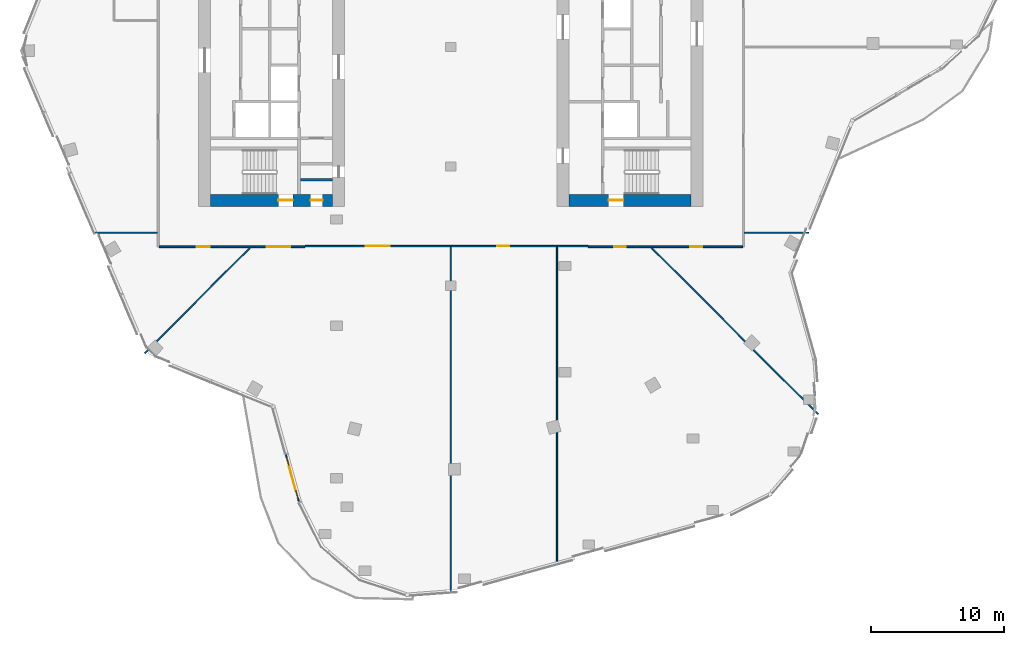
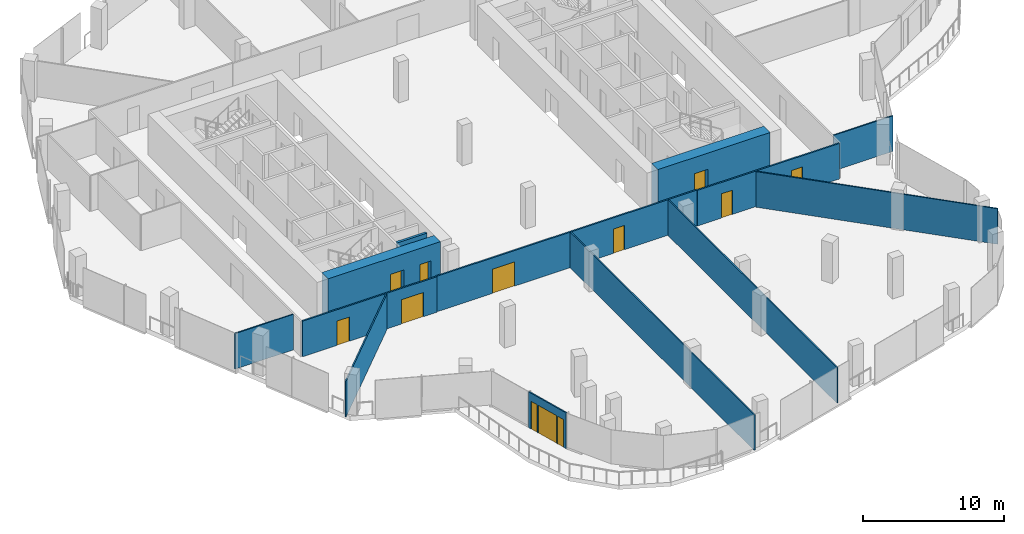
# One storey, part 18 of 26: 13 walls, 10 doors, 2 windows, 12 openings.
"""IFC4 building model written with IfcOpenShell, lengths in metres."""

import ifcopenshell
import ifcopenshell.guid

model = None  # the IFC model being written
_history = None  # IfcOwnerHistory: only IFC2X3 demands one
_inside = {}  # id of a spatial element -> (the spatial element, [elements in it])
_under = {}  # id of a project, library or spatial element -> (it, [spatial elements below it])
_declared = {}  # id of a project -> (the project, [libraries it declares])
_typed = {}  # id of a type object -> (the type object, [elements of that type])
_made_of = {}  # id of a material, layer set ... -> (it, [elements and type objects made of it])


def new_model(schema):
    """Start an empty IFC model of exactly this schema.

    Asked for "IFC4X3", IfcOpenShell would pick the latest addendum, in which some entities
    have other attributes; the version numbers below select the first issue.
    IFC2X3 requires an IfcOwnerHistory on every rooted entity: one is made here for all.
    """
    global model, _history
    if schema == "IFC4X3":
        model = ifcopenshell.file(schema_version=(4, 3, 0, 0))
    else:
        model = ifcopenshell.file(schema=schema)
    _inside.clear()
    _under.clear()
    _declared.clear()
    _typed.clear()
    _made_of.clear()
    _history = None
    if model.schema == "IFC2X3":
        org = make("IfcOrganization", Name="unknown")
        user = make(
            "IfcPersonAndOrganization",
            ThePerson=make("IfcPerson", FamilyName="unknown"),
            TheOrganization=org,
        )
        app = make(
            "IfcApplication",
            ApplicationDeveloper=org,
            Version="unknown",
            ApplicationFullName="unknown",
            ApplicationIdentifier="unknown",
        )
        _history = make(
            "IfcOwnerHistory",
            OwningUser=user,
            OwningApplication=app,
            ChangeAction="ADDED",
            CreationDate=0,
        )
    return model


def make(cls, **values):
    """One entity of the class cls with the attributes given. An attribute that is None is left unset."""
    return model.create_entity(
        cls, **{name: value for name, value in values.items() if value is not None}
    )


def rooted(cls, **values):
    """An entity with a GlobalId (a new one), such as an element, a storey or a relation."""
    return make(cls, GlobalId=ifcopenshell.guid.new(), OwnerHistory=_history, **values)


def si_unit(unit_type, name, prefix=None):
    """IfcSIUnit, for example si_unit("LENGTHUNIT", "METRE", prefix="MILLI")."""
    return make("IfcSIUnit", UnitType=unit_type, Prefix=prefix, Name=name)


def assignment(units):
    """IfcUnitAssignment: the units of a project."""
    return None if units is None else make("IfcUnitAssignment", Units=units)


def point(xyz):
    """IfcCartesianPoint."""
    return None if xyz is None else make("IfcCartesianPoint", Coordinates=xyz)


def direction(xyz):
    """IfcDirection."""
    return None if xyz is None else make("IfcDirection", DirectionRatios=xyz)


def frame(location, z_axis=None, x_axis=None):
    """IfcAxis2Placement3D, a coordinate frame: its origin and axes. An axis left out is left unset."""
    return make(
        "IfcAxis2Placement3D",
        Location=point(location),
        Axis=direction(z_axis),
        RefDirection=direction(x_axis),
    )


def frame_2d(location, x_axis=None):
    """IfcAxis2Placement2D, a coordinate frame in the plane: its origin and x axis."""
    return make(
        "IfcAxis2Placement2D", Location=point(location), RefDirection=direction(x_axis)
    )


def origin():
    """The frame at (0, 0, 0) with its axes left unset."""
    return frame((0.0, 0.0, 0.0))


def place(relative_to, where):
    """IfcLocalPlacement: puts the frame where relative to a parent placement (None: the world)."""
    return make(
        "IfcLocalPlacement", PlacementRelTo=relative_to, RelativePlacement=where
    )


def context(
    kind, dimensions, precision=None, world=None, true_north=None, identifier=None
):
    """IfcGeometricRepresentationContext, for example the 3D "Model" context."""
    return make(
        "IfcGeometricRepresentationContext",
        ContextIdentifier=identifier,
        ContextType=kind,
        CoordinateSpaceDimension=dimensions,
        Precision=precision,
        WorldCoordinateSystem=world,
        TrueNorth=true_north,
    )


def subcontext(parent, identifier, kind, view, scale=None):
    """IfcGeometricRepresentationSubContext, for example "Body" below "Model"."""
    return make(
        "IfcGeometricRepresentationSubContext",
        ContextIdentifier=identifier,
        ContextType=kind,
        ParentContext=parent,
        TargetScale=scale,
        TargetView=view,
    )


def project(units=None, contexts=None):
    """IfcProject with its units and contexts."""
    return rooted(
        "IfcProject",
        Name="project",
        RepresentationContexts=contexts,
        UnitsInContext=assignment(units),
    )


def spatial(cls, under=None, at=None, **own):
    """A site, building, storey or space (cls), placed at a placement, below another one or the project."""
    s = rooted(cls, ObjectPlacement=at, **own)
    if under is not None:
        _under.setdefault(under.id(), (under, []))[1].append(s)
    return s


def profile(cls, at=None, kind="AREA", **sizes):
    """A parametric profile (cls). Its sizes go by their IFC names, for example OverallWidth=200.0."""
    return make(cls, ProfileType=kind, Position=at, **sizes)


def rectangle(**sizes):
    """IfcRectangleProfileDef."""
    return profile("IfcRectangleProfileDef", **sizes)


def extrude(swept, where, along, depth):
    """IfcExtrudedAreaSolid: the profile swept, set in the frame where, extruded along a direction by depth."""
    return make(
        "IfcExtrudedAreaSolid",
        SweptArea=swept,
        Position=where,
        ExtrudedDirection=direction(along),
        Depth=depth,
    )


def shape(context_of_items, identifier, shape_type, items):
    """IfcShapeRepresentation: the items that make up one representation, for example the "Body"."""
    return make(
        "IfcShapeRepresentation",
        ContextOfItems=context_of_items,
        RepresentationIdentifier=identifier,
        RepresentationType=shape_type,
        Items=items,
    )


def material(Name=None, Category=None):
    """IfcMaterial."""
    return make("IfcMaterial", Name=Name, Category=Category)


def layer(
    of_material, thickness, ventilated=None, Name=None, Category=None, Priority=None
):
    """IfcMaterialLayer: one layer of a wall or slab, of a material (None: an air gap)."""
    return make(
        "IfcMaterialLayer",
        Material=of_material,
        LayerThickness=thickness,
        IsVentilated=ventilated,
        Name=Name,
        Category=Category,
        Priority=Priority,
    )


def layer_set(layers, Name=None):
    """IfcMaterialLayerSet."""
    return make("IfcMaterialLayerSet", MaterialLayers=layers, LayerSetName=Name)


def made_of(thing, what):
    """Note that an element or type object is made of a material, layer set ...; save() writes the relation."""
    if what is not None:
        _made_of.setdefault(what.id(), (what, []))[1].append(thing)
    return thing


def type_object(cls, material=None, **own):
    """A type object (cls), such as IfcWallType, which elements share."""
    return made_of(rooted(cls, **own), material)


def element(
    cls,
    number,
    at=None,
    inside=None,
    cuts=None,
    type_object=None,
    material=None,
    context=None,
    identifier="Body",
    shape_type=None,
    held_by="IfcProductDefinitionShape",
    body=None,
    shapes=None,
    **own,
):
    """One element of the class cls, such as IfcWall. Its Tag is "e" and its number.

    at: its placement. inside: the storey or other place that contains it. cuts: it is an
    opening in that element (IfcRelVoidsElement). A single representation is given by context,
    identifier, shape_type and body (its items); several are given by shapes. held_by: the class
    of the entity that holds the representations. save() writes the other relations.
    """
    e = rooted(cls, Tag="e%d" % number, ObjectPlacement=at, **own)
    if body is not None:
        shapes = [shape(context, identifier, shape_type, body)]
    if shapes is not None:
        e.Representation = make(held_by, Representations=shapes)
    if inside is not None:
        _inside.setdefault(inside.id(), (inside, []))[1].append(e)
    if cuts is not None:
        rooted(
            "IfcRelVoidsElement", RelatingBuildingElement=cuts, RelatedOpeningElement=e
        )
    if type_object is not None:
        _typed.setdefault(type_object.id(), (type_object, []))[1].append(e)
    return made_of(e, material)


def fill(opening, filler):
    """IfcRelFillsElement: the door or window that sits in an opening."""
    return rooted(
        "IfcRelFillsElement",
        RelatingOpeningElement=opening,
        RelatedBuildingElement=filler,
    )


def aggregate(whole, parts):
    """IfcRelAggregates: a whole, such as a stair, and the parts it consists of."""
    return rooted("IfcRelAggregates", RelatingObject=whole, RelatedObjects=parts)


def save(model, path):
    """Write the relations noted so far, then the file.

    IfcRelAggregates (storeys below a building ...), IfcRelContainedInSpatialStructure (elements
    in a storey), IfcRelDefinesByType, IfcRelAssociatesMaterial and IfcRelDeclares: one each for
    every whole, place, type object, material and project.
    """
    for whole, parts in _under.values():
        aggregate(whole, parts)
    for where, things in _inside.values():
        rooted(
            "IfcRelContainedInSpatialStructure",
            RelatedElements=things,
            RelatingStructure=where,
        )
    for kind, things in _typed.values():
        rooted("IfcRelDefinesByType", RelatedObjects=things, RelatingType=kind)
    for what, things in _made_of.values():
        rooted("IfcRelAssociatesMaterial", RelatedObjects=things, RelatingMaterial=what)
    for by, libraries in _declared.values():
        rooted("IfcRelDeclares", RelatingContext=by, RelatedDefinitions=libraries)
    model.write(path)


model = new_model("IFC4")

# Units and contexts
model_context = context("Model", 3, precision=1e-05, world=origin(), true_north=direction((0.0, 1.0)))
body_context = subcontext(model_context, "Body", "Model", "MODEL_VIEW")
ifc_project = project(units=[si_unit("LENGTHUNIT", "METRE"), si_unit("AREAUNIT", "SQUARE_METRE"), si_unit("VOLUMEUNIT", "CUBIC_METRE"), si_unit("PLANEANGLEUNIT", "RADIAN"), si_unit("MASSUNIT", "GRAM", prefix="KILO")], contexts=[model_context])

# Site, building, storey
site_placement = place(None, origin())
site = spatial("IfcSite", under=ifc_project, at=site_placement, CompositionType="ELEMENT")
building_placement = place(site_placement, origin())
building = spatial("IfcBuilding", under=site, at=building_placement, Name="Orlundy Tower", CompositionType="ELEMENT")
storey_placement = place(building_placement, frame((0.0, 0.0, 275.39990234375)))
storey = spatial("IfcBuildingStorey", under=building, at=storey_placement, Name="L73", CompositionType="ELEMENT", Elevation=275.39990234375)

# Wall, openings, doors
ifc_material_1 = material(Name="Concrete C50/60", Category="concrete")
ifc_layer_1 = layer(ifc_material_1, 0.89990234375)
ifc_layer_set_1 = layer_set([ifc_layer_1], Name="CORE WALL 900 C50/60")
wall_type_1 = type_object("IfcWallType", Name="CORE WALL 900 C50/60", PredefinedType="SHEAR", material=ifc_layer_set_1)
wall_1_placement = place(storey_placement, frame((-18.10009765625, -11.550048828125, 0.0), z_axis=(0.0, 0.0, 1.0), x_axis=(1.0, 0.0, 0.0)))
wall_1 = element("IfcWall", 1, at=wall_1_placement, inside=storey, type_object=wall_type_1, Name="Core wall W-S L73", PredefinedType="SHEAR", context=body_context, shape_type="SweptSolid", body=[
    extrude(rectangle(XDim=9.2001953125, YDim=0.89990234375, at=frame_2d((4.60009765625, 0.0))), origin(), (0.0, 0.0, 1.0), 3.5),
])
opening_1_placement = place(wall_1_placement, frame((5.10009765625, 0.0, 0.0)))
opening_1 = element("IfcOpeningElement", 2, at=opening_1_placement, cuts=wall_1, Name="Opening 55013", PredefinedType="OPENING", context=body_context, shape_type="SweptSolid", body=[
    extrude(rectangle(XDim=1.10009765625, YDim=2.10009765625, at=frame_2d((0.550048828125, 1.050048828125))), frame((0.0, 0.4599609375, 0.0), z_axis=(0.0, -1.0, 0.0), x_axis=(1.0, 0.0, 0.0)), (0.0, 0.0, 1.0), 0.919921875),
])
opening_2_placement = place(wall_1_placement, frame((7.530029296875, 0.0, 0.0)))
opening_2 = element("IfcOpeningElement", 3, at=opening_2_placement, cuts=wall_1, Name="Opening 55015", PredefinedType="OPENING", context=body_context, shape_type="SweptSolid", body=[
    extrude(rectangle(XDim=0.89990234375, YDim=2.10009765625, at=frame_2d((0.449951171875, 1.050048828125))), frame((0.0, 0.4599609375, 0.0), z_axis=(0.0, -1.0, 0.0), x_axis=(1.0, 0.0, 0.0)), (0.0, 0.0, 1.0), 0.919921875),
])
ifc_material_2 = material(Name="Timber door set", Category="wood")
door_type_1 = type_object("IfcDoorType", Name="Room Door 900x2100", OperationType="SINGLE_SWING_LEFT", PredefinedType="DOOR", material=ifc_material_2)
door_1_placement = place(opening_2_placement, origin())
door_1 = element("IfcDoor", 4, at=door_1_placement, inside=storey, type_object=door_type_1, Name="Store door 55015", OperationType="SINGLE_SWING_RIGHT", OverallHeight=2.10009765625, OverallWidth=0.89990234375, PredefinedType="DOOR", context=body_context, shape_type="SweptSolid", body=[
    extrude(rectangle(XDim=0.89990234375, YDim=2.10009765625, at=frame_2d((0.449951171875, 1.050048828125))), frame((0.0, 0.02490234375, 0.0), z_axis=(0.0, -1.0, 0.0), x_axis=(1.0, 0.0, 0.0)), (0.0, 0.0, 1.0), 0.050048828125),
])
fill(opening_2, door_1)
ifc_material_3 = material(Name="Steel door set", Category="steel")
door_type_2 = type_object("IfcDoorType", Name="Stair Door 1100x2100", OperationType="SINGLE_SWING_LEFT", PredefinedType="DOOR", material=ifc_material_3)
door_2_placement = place(opening_1_placement, origin())
door_2 = element("IfcDoor", 5, at=door_2_placement, inside=storey, type_object=door_type_2, Name="Stair door 55013", OperationType="SINGLE_SWING_RIGHT", OverallHeight=2.10009765625, OverallWidth=1.10009765625, PredefinedType="DOOR", context=body_context, shape_type="SweptSolid", body=[
    extrude(rectangle(XDim=1.10009765625, YDim=2.10009765625, at=frame_2d((0.550048828125, 1.050048828125))), frame((0.0, 0.02490234375, 0.0), z_axis=(0.0, -1.0, 0.0), x_axis=(1.0, 0.0, 0.0)), (0.0, 0.0, 1.0), 0.050048828125),
])
fill(opening_1, door_2)

# Wall, opening, door
wall_2_placement = place(storey_placement, frame((8.89990234375, -11.550048828125, 0.0), z_axis=(0.0, 0.0, 1.0), x_axis=(1.0, 0.0, 0.0)))
wall_2 = element("IfcWall", 6, at=wall_2_placement, inside=storey, type_object=wall_type_1, Name="Core wall E-S L73", PredefinedType="SHEAR", context=body_context, shape_type="SweptSolid", body=[
    extrude(rectangle(XDim=9.2001953125, YDim=0.89990234375, at=frame_2d((4.60009765625, 0.0))), origin(), (0.0, 0.0, 1.0), 3.5),
])
opening_3_placement = place(wall_2_placement, frame((3.0, 0.0, 0.0)))
opening_3 = element("IfcOpeningElement", 7, at=opening_3_placement, cuts=wall_2, Name="Opening 55061", PredefinedType="OPENING", context=body_context, shape_type="SweptSolid", body=[
    extrude(rectangle(XDim=1.10009765625, YDim=2.10009765625, at=frame_2d((0.550048828125, 1.050048828125))), frame((0.0, 0.4599609375, 0.0), z_axis=(0.0, -1.0, 0.0), x_axis=(1.0, 0.0, 0.0)), (0.0, 0.0, 1.0), 0.919921875),
])
door_3_placement = place(opening_3_placement, origin())
door_3 = element("IfcDoor", 8, at=door_3_placement, inside=storey, type_object=door_type_2, Name="Stair door 55061", OperationType="SINGLE_SWING_LEFT", OverallHeight=2.10009765625, OverallWidth=1.10009765625, PredefinedType="DOOR", context=body_context, shape_type="SweptSolid", body=[
    extrude(rectangle(XDim=1.10009765625, YDim=2.10009765625, at=frame_2d((0.550048828125, 1.050048828125))), frame((0.0, 0.02490234375, 0.0), z_axis=(0.0, -1.0, 0.0), x_axis=(1.0, 0.0, 0.0)), (0.0, 0.0, 1.0), 0.050048828125),
])
fill(opening_3, door_3)

# Walls
ifc_material_4 = material(Name="Gypsum board partition")
ifc_layer_2 = layer(ifc_material_4, 0.10009765625)
ifc_layer_set_2 = layer_set([ifc_layer_2], Name="Floor partition 100")
wall_type_2 = type_object("IfcWallType", Name="Floor partition 100", PredefinedType="PARTITIONING", material=ifc_layer_set_2)
wall_3_placement = place(storey_placement, frame((15.14990234375, -15.14892578125, 0.0), z_axis=(0.0, 0.0, 1.0), x_axis=(0.707106781187, -0.707106781187, 0.0)))
element("IfcWall", 9, at=wall_3_placement, inside=storey, type_object=wall_type_2, Name="wall-int-L73-002", PredefinedType="PARTITIONING", context=body_context, shape_type="SweptSolid", body=[
    extrude(rectangle(XDim=17.730224609375, YDim=0.10009765625, at=frame_2d((8.865234375, 0.0))), origin(), (0.0, 0.0, 1.0), 3.080078125),
])
wall_4_placement = place(storey_placement, frame((-26.919921875, -14.0, 0.0), z_axis=(0.0, 0.0, 1.0), x_axis=(1.0, 0.0, 0.0)))
element("IfcWall", 10, at=wall_4_placement, inside=storey, type_object=wall_type_2, Name="wall-int-L73-006", PredefinedType="PARTITIONING", context=body_context, shape_type="SweptSolid", body=[
    extrude(rectangle(XDim=4.806884765625, YDim=0.10009765625, at=frame_2d((2.4033203125, 0.0))), origin(), (0.0, 0.0, 1.0), 3.080078125),
])
wall_5_placement = place(storey_placement, frame((22.113037109375, -14.0, 0.0), z_axis=(0.0, 0.0, 1.0), x_axis=(1.0, 0.0, 0.0)))
element("IfcWall", 11, at=wall_5_placement, inside=storey, type_object=wall_type_2, Name="wall-int-L73-007", PredefinedType="PARTITIONING", context=body_context, shape_type="SweptSolid", body=[
    extrude(rectangle(XDim=4.85693359375, YDim=0.10009765625, at=frame_2d((2.428466796875, 0.0))), origin(), (0.0, 0.0, 1.0), 3.080078125),
])
wall_6_placement = place(storey_placement, frame((-23.070068359375, -23.070068359375, 0.0), z_axis=(0.0, 0.0, 1.0), x_axis=(0.707106781187, 0.707106781187, 0.0)))
element("IfcWall", 12, at=wall_6_placement, inside=storey, type_object=wall_type_2, Name="wall-int-L73-017", PredefinedType="PARTITIONING", context=body_context, shape_type="SweptSolid", body=[
    extrude(rectangle(XDim=11.2021484375, YDim=0.10009765625, at=frame_2d((5.60107421875, 0.0))), origin(), (0.0, 0.0, 1.0), 3.080078125),
])
wall_7_placement = place(storey_placement, frame((8.0, -39.031005859375, 0.0), z_axis=(0.0, 0.0, 1.0), x_axis=(0.0, 1.0, 0.0)))
element("IfcWall", 13, at=wall_7_placement, inside=storey, type_object=wall_type_2, Name="wall-int-L73-019", PredefinedType="PARTITIONING", context=body_context, shape_type="SweptSolid", body=[
    extrude(rectangle(XDim=23.968017578125, YDim=0.10009765625, at=frame_2d((11.98388671875, 0.0))), origin(), (0.0, 0.0, 1.0), 3.080078125),
])
wall_8_placement = place(storey_placement, frame((0.0, -41.152099609375, 0.0), z_axis=(0.0, 0.0, 1.0), x_axis=(0.0, 1.0, 0.0)))
element("IfcWall", 14, at=wall_8_placement, inside=storey, type_object=wall_type_2, Name="wall-int-L73-021", PredefinedType="PARTITIONING", context=body_context, shape_type="SweptSolid", body=[
    extrude(rectangle(XDim=26.089111328125, YDim=0.10009765625, at=frame_2d((13.04443359375, 0.0))), origin(), (0.0, 0.0, 1.0), 3.080078125),
])

# Wall, openings, doors
ifc_material_5 = material(Name="Gypsum board partition, double layer")
ifc_layer_3 = layer(ifc_material_5, 0.125)
ifc_layer_set_3 = layer_set([ifc_layer_3], Name="Floor partition 125")
wall_type_3 = type_object("IfcWallType", Name="Floor partition 125", PredefinedType="PARTITIONING", material=ifc_layer_set_3)
wall_9_placement = place(storey_placement, frame((-10.990966796875, -15.051025390625, 0.0), z_axis=(0.0, 0.0, 1.0), x_axis=(-1.0, 0.0, 0.0)))
wall_9 = element("IfcWall", 15, at=wall_9_placement, inside=storey, type_object=wall_type_3, Name="wall-int-L73-003", PredefinedType="PARTITIONING", context=body_context, shape_type="SweptSolid", body=[
    extrude(rectangle(XDim=10.9970703125, YDim=0.125, at=frame_2d((5.49853515625, 0.0))), origin(), (0.0, 0.0, 1.0), 3.080078125),
])
opening_4_placement = place(wall_9_placement, frame((7.159912109375, 0.0, 0.0)))
opening_4 = element("IfcOpeningElement", 16, at=opening_4_placement, cuts=wall_9, Name="Opening 55101", PredefinedType="OPENING", context=body_context, shape_type="SweptSolid", body=[
    extrude(rectangle(XDim=1.0, YDim=2.10009765625, at=frame_2d((0.5, 1.050048828125))), frame((0.0, 0.072509765625, 0.0), z_axis=(0.0, -1.0, 0.0), x_axis=(1.0, 0.0, 0.0)), (0.0, 0.0, 1.0), 0.14501953125),
])
opening_5_placement = place(wall_9_placement, frame((1.10009765625, 0.0, 0.0)))
opening_5 = element("IfcOpeningElement", 17, at=opening_5_placement, cuts=wall_9, Name="Opening 55102", PredefinedType="OPENING", context=body_context, shape_type="SweptSolid", body=[
    extrude(rectangle(XDim=1.800048828125, YDim=2.10009765625, at=frame_2d((0.89990234375, 1.050048828125))), frame((0.0, 0.072509765625, 0.0), z_axis=(0.0, -1.0, 0.0), x_axis=(1.0, 0.0, 0.0)), (0.0, 0.0, 1.0), 0.14501953125),
])
ifc_material_6 = material(Name="Timber door leaf", Category="wood")
door_type_3 = type_object("IfcDoorType", Name="Floor door double 1800 FD30S", OperationType="NOTDEFINED", PredefinedType="DOOR", material=ifc_material_6)
door_4_placement = place(opening_5_placement, origin())
door_4 = element("IfcDoor", 18, at=door_4_placement, inside=storey, type_object=door_type_3, Name="Door 55102", OperationType="DOUBLE_DOOR_SINGLE_SWING", OverallHeight=2.10009765625, OverallWidth=1.800048828125, PredefinedType="DOOR", context=body_context, shape_type="SweptSolid", body=[
    extrude(rectangle(XDim=1.800048828125, YDim=2.10009765625, at=frame_2d((0.89990234375, 1.050048828125))), frame((0.0, 0.02490234375, 0.0), z_axis=(0.0, -1.0, 0.0), x_axis=(1.0, 0.0, 0.0)), (0.0, 0.0, 1.0), 0.050048828125),
])
fill(opening_5, door_4)
ifc_material_7 = material(Name="Timber door leaf", Category="wood")
door_type_4 = type_object("IfcDoorType", Name="Floor door wide 1000 FD30S", OperationType="NOTDEFINED", PredefinedType="DOOR", material=ifc_material_7)
door_5_placement = place(opening_4_placement, origin())
door_5 = element("IfcDoor", 19, at=door_5_placement, inside=storey, type_object=door_type_4, Name="Door 55101", OperationType="SINGLE_SWING_RIGHT", OverallHeight=2.10009765625, OverallWidth=1.0, PredefinedType="DOOR", context=body_context, shape_type="SweptSolid", body=[
    extrude(rectangle(XDim=1.0, YDim=2.10009765625, at=frame_2d((0.5, 1.050048828125))), frame((0.0, 0.02490234375, 0.0), z_axis=(0.0, -1.0, 0.0), x_axis=(1.0, 0.0, 0.0)), (0.0, 0.0, 1.0), 0.050048828125),
])
fill(opening_4, door_5)

wall_10_placement = place(storey_placement, frame((21.988037109375, -15.051025390625, 0.0), z_axis=(0.0, 0.0, 1.0), x_axis=(-1.0, 0.0, 0.0)))
wall_10 = element("IfcWall", 20, at=wall_10_placement, inside=storey, type_object=wall_type_3, Name="wall-int-L73-004", PredefinedType="PARTITIONING", context=body_context, shape_type="SweptSolid", body=[
    extrude(rectangle(XDim=11.637939453125, YDim=0.125, at=frame_2d((5.81884765625, 0.0))), origin(), (0.0, 0.0, 1.0), 3.080078125),
])
opening_6_placement = place(wall_10_placement, frame((8.785400390625, 0.0, 0.0)))
opening_6 = element("IfcOpeningElement", 21, at=opening_6_placement, cuts=wall_10, Name="Opening 55105", PredefinedType="OPENING", context=body_context, shape_type="SweptSolid", body=[
    extrude(rectangle(XDim=0.89990234375, YDim=2.10009765625, at=frame_2d((0.449951171875, 1.050048828125))), frame((0.0, 0.072509765625, 0.0), z_axis=(0.0, -1.0, 0.0), x_axis=(1.0, 0.0, 0.0)), (0.0, 0.0, 1.0), 0.14501953125),
])
opening_7_placement = place(wall_10_placement, frame((3.03759765625, 0.0, 0.0)))
opening_7 = element("IfcOpeningElement", 22, at=opening_7_placement, cuts=wall_10, Name="Opening 55106", PredefinedType="OPENING", context=body_context, shape_type="SweptSolid", body=[
    extrude(rectangle(XDim=0.89990234375, YDim=2.10009765625, at=frame_2d((0.449951171875, 1.050048828125))), frame((0.0, 0.072509765625, 0.0), z_axis=(0.0, -1.0, 0.0), x_axis=(1.0, 0.0, 0.0)), (0.0, 0.0, 1.0), 0.14501953125),
])
ifc_material_8 = material(Name="Timber door leaf", Category="wood")
door_type_5 = type_object("IfcDoorType", Name="Floor door single 900 FD30S", OperationType="NOTDEFINED", PredefinedType="DOOR", material=ifc_material_8)
door_6_placement = place(opening_6_placement, origin())
door_6 = element("IfcDoor", 23, at=door_6_placement, inside=storey, type_object=door_type_5, Name="Door 55105", OperationType="SINGLE_SWING_RIGHT", OverallHeight=2.10009765625, OverallWidth=0.89990234375, PredefinedType="DOOR", context=body_context, shape_type="SweptSolid", body=[
    extrude(rectangle(XDim=0.89990234375, YDim=2.10009765625, at=frame_2d((0.449951171875, 1.050048828125))), frame((0.0, 0.02490234375, 0.0), z_axis=(0.0, -1.0, 0.0), x_axis=(1.0, 0.0, 0.0)), (0.0, 0.0, 1.0), 0.050048828125),
])
fill(opening_6, door_6)
door_7_placement = place(opening_7_placement, origin())
door_7 = element("IfcDoor", 24, at=door_7_placement, inside=storey, type_object=door_type_5, Name="Door 55106", OperationType="SINGLE_SWING_LEFT", OverallHeight=2.10009765625, OverallWidth=0.89990234375, PredefinedType="DOOR", context=body_context, shape_type="SweptSolid", body=[
    extrude(rectangle(XDim=0.89990234375, YDim=2.10009765625, at=frame_2d((0.449951171875, 1.050048828125))), frame((0.0, 0.02490234375, 0.0), z_axis=(0.0, -1.0, 0.0), x_axis=(1.0, 0.0, 0.0)), (0.0, 0.0, 1.0), 0.050048828125),
])
fill(opening_7, door_7)

wall_11_placement = place(storey_placement, frame((10.34912109375, -15.0009765625, 0.0), z_axis=(0.0, 0.0, 1.0), x_axis=(-1.0, 0.0, 0.0)))
wall_11 = element("IfcWall", 25, at=wall_11_placement, inside=storey, type_object=wall_type_3, Name="wall-int-L73-005", PredefinedType="PARTITIONING", context=body_context, shape_type="SweptSolid", body=[
    extrude(rectangle(XDim=21.339111328125, YDim=0.125, at=frame_2d((10.66943359375, 0.0))), origin(), (0.0, 0.0, 1.0), 3.080078125),
])
opening_8_placement = place(wall_11_placement, frame((14.948974609375, 0.0, 0.0)))
opening_8 = element("IfcOpeningElement", 26, at=opening_8_placement, cuts=wall_11, Name="Opening 55103", PredefinedType="OPENING", context=body_context, shape_type="SweptSolid", body=[
    extrude(rectangle(XDim=1.800048828125, YDim=2.10009765625, at=frame_2d((0.89990234375, 1.050048828125))), frame((0.0, 0.072509765625, 0.0), z_axis=(0.0, -1.0, 0.0), x_axis=(1.0, 0.0, 0.0)), (0.0, 0.0, 1.0), 0.14501953125),
])
opening_9_placement = place(wall_11_placement, frame((5.948974609375, 0.0, 0.0)))
opening_9 = element("IfcOpeningElement", 27, at=opening_9_placement, cuts=wall_11, Name="Opening 55104", PredefinedType="OPENING", context=body_context, shape_type="SweptSolid", body=[
    extrude(rectangle(XDim=0.89990234375, YDim=2.10009765625, at=frame_2d((0.449951171875, 1.050048828125))), frame((0.0, 0.072509765625, 0.0), z_axis=(0.0, -1.0, 0.0), x_axis=(1.0, 0.0, 0.0)), (0.0, 0.0, 1.0), 0.14501953125),
])
door_8_placement = place(opening_8_placement, origin())
door_8 = element("IfcDoor", 28, at=door_8_placement, inside=storey, type_object=door_type_3, Name="Door 55103", OperationType="DOUBLE_DOOR_SINGLE_SWING", OverallHeight=2.10009765625, OverallWidth=1.800048828125, PredefinedType="DOOR", context=body_context, shape_type="SweptSolid", body=[
    extrude(rectangle(XDim=1.800048828125, YDim=2.10009765625, at=frame_2d((0.89990234375, 1.050048828125))), frame((0.0, 0.02490234375, 0.0), z_axis=(0.0, -1.0, 0.0), x_axis=(1.0, 0.0, 0.0)), (0.0, 0.0, 1.0), 0.050048828125),
])
fill(opening_8, door_8)
door_9_placement = place(opening_9_placement, origin())
door_9 = element("IfcDoor", 29, at=door_9_placement, inside=storey, type_object=door_type_5, Name="Door 55104", OperationType="SINGLE_SWING_LEFT", OverallHeight=2.10009765625, OverallWidth=0.89990234375, PredefinedType="DOOR", context=body_context, shape_type="SweptSolid", body=[
    extrude(rectangle(XDim=0.89990234375, YDim=2.10009765625, at=frame_2d((0.449951171875, 1.050048828125))), frame((0.0, 0.02490234375, 0.0), z_axis=(0.0, -1.0, 0.0), x_axis=(1.0, 0.0, 0.0)), (0.0, 0.0, 1.0), 0.050048828125),
])
fill(opening_9, door_9)

# Wall, openings, windows, door
ifc_material_9 = material(Name="Aluminium bronze and tinted glass", Category="aluminium")
ifc_layer_4 = layer(ifc_material_9, 0.10009765625)
ifc_layer_set_4 = layer_set([ifc_layer_4], Name="Glazed door screen")
wall_type_4 = type_object("IfcWallType", Name="Glazed door screen", PredefinedType="STANDARD", material=ifc_layer_set_4)
wall_12_placement = place(storey_placement, frame((-11.43896484375, -34.301513671875, 0.0), z_axis=(0.0, 0.0, 1.0), x_axis=(-0.26725982594, 0.963624504378, 0.0)))
wall_12 = element("IfcWall", 30, at=wall_12_placement, inside=storey, type_object=wall_type_4, Name="Glazed door screen", PredefinedType="STANDARD", context=body_context, shape_type="SweptSolid", body=[
    extrude(rectangle(XDim=3.738037109375, YDim=0.10009765625, at=frame_2d((1.869140625, 0.0))), origin(), (0.0, 0.0, 1.0), 3.10009765625),
])
opening_10_placement = place(wall_12_placement, frame((0.98046875, 0.0, 0.0)))
opening_10 = element("IfcOpeningElement", 31, at=opening_10_placement, cuts=wall_12, Name="Opening 55941", PredefinedType="OPENING", context=body_context, shape_type="SweptSolid", body=[
    extrude(rectangle(XDim=1.800048828125, YDim=2.39990234375, at=frame_2d((0.89990234375, 1.199951171875))), frame((0.0, 0.06005859375, 0.0), z_axis=(0.0, -1.0, 0.0), x_axis=(1.0, 0.0, 0.0)), (0.0, 0.0, 1.0), 0.1201171875),
])
opening_11_placement = place(wall_12_placement, frame((0.280517578125, 0.0, 0.0)))
opening_11 = element("IfcOpeningElement", 32, at=opening_11_placement, cuts=wall_12, Name="Opening W01", PredefinedType="OPENING", context=body_context, shape_type="SweptSolid", body=[
    extrude(rectangle(XDim=0.60009765625, YDim=2.39990234375, at=frame_2d((0.300048828125, 1.199951171875))), frame((0.0, 0.06005859375, 0.0), z_axis=(0.0, -1.0, 0.0), x_axis=(1.0, 0.0, 0.0)), (0.0, 0.0, 1.0), 0.1201171875),
])
opening_12_placement = place(wall_12_placement, frame((2.88037109375, 0.0, 0.0)))
opening_12 = element("IfcOpeningElement", 33, at=opening_12_placement, cuts=wall_12, Name="Opening W01", PredefinedType="OPENING", context=body_context, shape_type="SweptSolid", body=[
    extrude(rectangle(XDim=0.60009765625, YDim=2.39990234375, at=frame_2d((0.300048828125, 1.199951171875))), frame((0.0, 0.06005859375, 0.0), z_axis=(0.0, -1.0, 0.0), x_axis=(1.0, 0.0, 0.0)), (0.0, 0.0, 1.0), 0.1201171875),
])
ifc_material_10 = material(Name="Tinted glass in bronze aluminium frame", Category="aluminium")
window_type = type_object("IfcWindowType", Name="SL1 sidelight 600x2400", PartitioningType="SINGLE_PANEL", PredefinedType="WINDOW", material=ifc_material_10)
window_1_placement = place(opening_11_placement, origin())
window_1 = element("IfcWindow", 34, at=window_1_placement, inside=storey, type_object=window_type, Name="Window W01 L73", OverallHeight=2.39990234375, OverallWidth=0.60009765625, PartitioningType="SINGLE_PANEL", PredefinedType="WINDOW", context=body_context, shape_type="SweptSolid", body=[
    extrude(rectangle(XDim=0.60009765625, YDim=2.39990234375, at=frame_2d((0.300048828125, 1.199951171875))), frame((0.0, 0.030029296875, 0.0), z_axis=(0.0, -1.0, 0.0), x_axis=(1.0, 0.0, 0.0)), (0.0, 0.0, 1.0), 0.06005859375),
])
fill(opening_11, window_1)
window_2_placement = place(opening_12_placement, origin())
window_2 = element("IfcWindow", 35, at=window_2_placement, inside=storey, type_object=window_type, Name="Window W01 L73", OverallHeight=2.39990234375, OverallWidth=0.60009765625, PartitioningType="SINGLE_PANEL", PredefinedType="WINDOW", context=body_context, shape_type="SweptSolid", body=[
    extrude(rectangle(XDim=0.60009765625, YDim=2.39990234375, at=frame_2d((0.300048828125, 1.199951171875))), frame((0.0, 0.030029296875, 0.0), z_axis=(0.0, -1.0, 0.0), x_axis=(1.0, 0.0, 0.0)), (0.0, 0.0, 1.0), 0.06005859375),
])
fill(opening_12, window_2)
ifc_material_11 = material(Name="Aluminium bronze and tinted glass", Category="aluminium")
door_type_6 = type_object("IfcDoorType", Name="TD1 terrace door 1800x2400", OperationType="NOTDEFINED", PredefinedType="DOOR", material=ifc_material_11)
door_10_placement = place(opening_10_placement, origin())
door_10 = element("IfcDoor", 36, at=door_10_placement, inside=storey, type_object=door_type_6, Name="Door 55941", OperationType="DOUBLE_DOOR_SINGLE_SWING", OverallHeight=2.39990234375, OverallWidth=1.800048828125, PredefinedType="DOOR", context=body_context, shape_type="SweptSolid", body=[
    extrude(rectangle(XDim=1.800048828125, YDim=2.39990234375, at=frame_2d((0.89990234375, 1.199951171875))), frame((0.0, 0.02490234375, 0.0), z_axis=(0.0, -1.0, 0.0), x_axis=(1.0, 0.0, 0.0)), (0.0, 0.0, 1.0), 0.050048828125),
])
fill(opening_10, door_10)

# Wall
ifc_material_12 = material(Name="Gypsum board partition on steel studs", Category="steel")
ifc_layer_5 = layer(ifc_material_12, 0.199951171875)
ifc_layer_set_5 = layer_set([ifc_layer_5], Name="Partition 200")
wall_type_5 = type_object("IfcWallType", Name="Partition 200", PredefinedType="PARTITIONING", material=ifc_layer_set_5)
wall_13_placement = place(storey_placement, frame((-8.89990234375, -10.0, 0.0), z_axis=(0.0, 0.0, 1.0), x_axis=(-1.0, 0.0, 0.0)))
element("IfcWall", 37, at=wall_13_placement, inside=storey, type_object=wall_type_5, Name="Partition wall W55-room-s0", PredefinedType="PARTITIONING", context=body_context, shape_type="SweptSolid", body=[
    extrude(rectangle(XDim=2.440185546875, YDim=0.199951171875, at=frame_2d((1.22021484375, 0.0))), origin(), (0.0, 0.0, 1.0), 3.090087890625),
])

save(model, "model.ifc")
